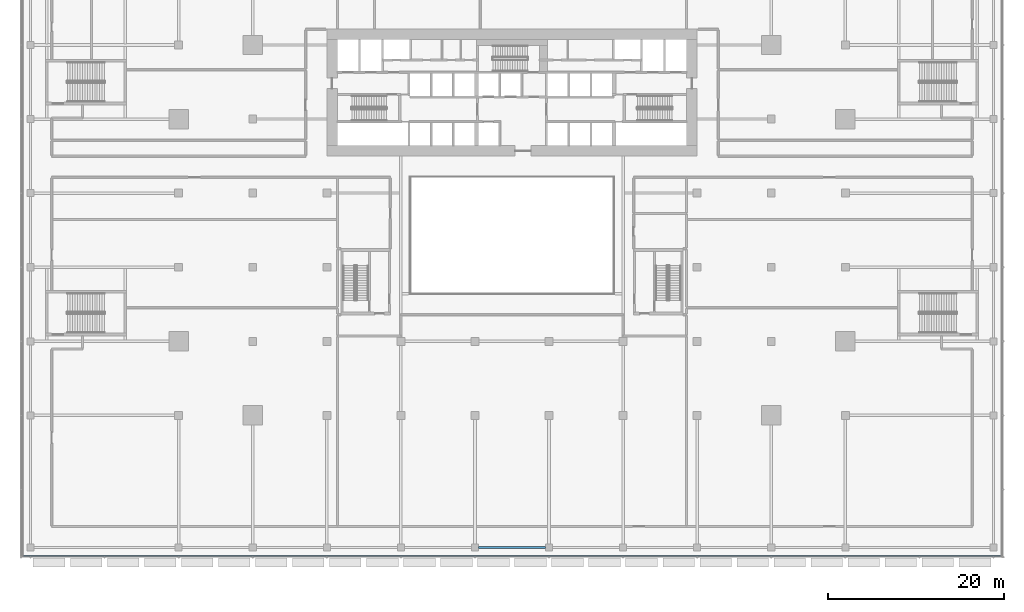
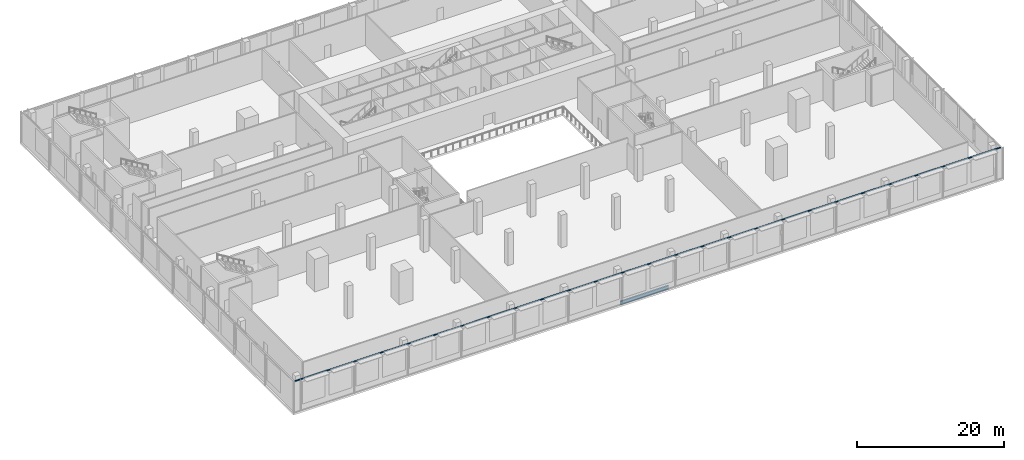
# One storey, part 5 of 39: 1 beam, 1 member, 1 element without a shape of its own.
"""IFC4 building model written with IfcOpenShell, lengths in metres."""

import ifcopenshell
import ifcopenshell.guid

model = None  # the IFC model being written
_history = None  # IfcOwnerHistory: only IFC2X3 demands one
_inside = {}  # id of a spatial element -> (the spatial element, [elements in it])
_under = {}  # id of a project, library or spatial element -> (it, [spatial elements below it])
_declared = {}  # id of a project -> (the project, [libraries it declares])
_typed = {}  # id of a type object -> (the type object, [elements of that type])
_made_of = {}  # id of a material, layer set ... -> (it, [elements and type objects made of it])


def new_model(schema):
    """Start an empty IFC model of exactly this schema.

    Asked for "IFC4X3", IfcOpenShell would pick the latest addendum, in which some entities
    have other attributes; the version numbers below select the first issue.
    IFC2X3 requires an IfcOwnerHistory on every rooted entity: one is made here for all.
    """
    global model, _history
    if schema == "IFC4X3":
        model = ifcopenshell.file(schema_version=(4, 3, 0, 0))
    else:
        model = ifcopenshell.file(schema=schema)
    _inside.clear()
    _under.clear()
    _declared.clear()
    _typed.clear()
    _made_of.clear()
    _history = None
    if model.schema == "IFC2X3":
        org = make("IfcOrganization", Name="unknown")
        user = make(
            "IfcPersonAndOrganization",
            ThePerson=make("IfcPerson", FamilyName="unknown"),
            TheOrganization=org,
        )
        app = make(
            "IfcApplication",
            ApplicationDeveloper=org,
            Version="unknown",
            ApplicationFullName="unknown",
            ApplicationIdentifier="unknown",
        )
        _history = make(
            "IfcOwnerHistory",
            OwningUser=user,
            OwningApplication=app,
            ChangeAction="ADDED",
            CreationDate=0,
        )
    return model


def make(cls, **values):
    """One entity of the class cls with the attributes given. An attribute that is None is left unset."""
    return model.create_entity(
        cls, **{name: value for name, value in values.items() if value is not None}
    )


def rooted(cls, **values):
    """An entity with a GlobalId (a new one), such as an element, a storey or a relation."""
    return make(cls, GlobalId=ifcopenshell.guid.new(), OwnerHistory=_history, **values)


def si_unit(unit_type, name, prefix=None):
    """IfcSIUnit, for example si_unit("LENGTHUNIT", "METRE", prefix="MILLI")."""
    return make("IfcSIUnit", UnitType=unit_type, Prefix=prefix, Name=name)


def assignment(units):
    """IfcUnitAssignment: the units of a project."""
    return None if units is None else make("IfcUnitAssignment", Units=units)


def point(xyz):
    """IfcCartesianPoint."""
    return None if xyz is None else make("IfcCartesianPoint", Coordinates=xyz)


def direction(xyz):
    """IfcDirection."""
    return None if xyz is None else make("IfcDirection", DirectionRatios=xyz)


def frame(location, z_axis=None, x_axis=None):
    """IfcAxis2Placement3D, a coordinate frame: its origin and axes. An axis left out is left unset."""
    return make(
        "IfcAxis2Placement3D",
        Location=point(location),
        Axis=direction(z_axis),
        RefDirection=direction(x_axis),
    )


def frame_2d(location, x_axis=None):
    """IfcAxis2Placement2D, a coordinate frame in the plane: its origin and x axis."""
    return make(
        "IfcAxis2Placement2D", Location=point(location), RefDirection=direction(x_axis)
    )


def origin():
    """The frame at (0, 0, 0) with its axes left unset."""
    return frame((0.0, 0.0, 0.0))


def origin_2d():
    """The frame at (0, 0) in the plane with its x axis left unset."""
    return frame_2d((0.0, 0.0))


def place(relative_to, where):
    """IfcLocalPlacement: puts the frame where relative to a parent placement (None: the world)."""
    return make(
        "IfcLocalPlacement", PlacementRelTo=relative_to, RelativePlacement=where
    )


def context(
    kind, dimensions, precision=None, world=None, true_north=None, identifier=None
):
    """IfcGeometricRepresentationContext, for example the 3D "Model" context."""
    return make(
        "IfcGeometricRepresentationContext",
        ContextIdentifier=identifier,
        ContextType=kind,
        CoordinateSpaceDimension=dimensions,
        Precision=precision,
        WorldCoordinateSystem=world,
        TrueNorth=true_north,
    )


def subcontext(parent, identifier, kind, view, scale=None):
    """IfcGeometricRepresentationSubContext, for example "Body" below "Model"."""
    return make(
        "IfcGeometricRepresentationSubContext",
        ContextIdentifier=identifier,
        ContextType=kind,
        ParentContext=parent,
        TargetScale=scale,
        TargetView=view,
    )


def project(units=None, contexts=None):
    """IfcProject with its units and contexts."""
    return rooted(
        "IfcProject",
        Name="project",
        RepresentationContexts=contexts,
        UnitsInContext=assignment(units),
    )


def spatial(cls, under=None, at=None, **own):
    """A site, building, storey or space (cls), placed at a placement, below another one or the project."""
    s = rooted(cls, ObjectPlacement=at, **own)
    if under is not None:
        _under.setdefault(under.id(), (under, []))[1].append(s)
    return s


def profile(cls, at=None, kind="AREA", **sizes):
    """A parametric profile (cls). Its sizes go by their IFC names, for example OverallWidth=200.0."""
    return make(cls, ProfileType=kind, Position=at, **sizes)


def rectangle(**sizes):
    """IfcRectangleProfileDef."""
    return profile("IfcRectangleProfileDef", **sizes)


def i_section(**sizes):
    """IfcIShapeProfileDef."""
    return profile("IfcIShapeProfileDef", **sizes)


def extrude(swept, where, along, depth):
    """IfcExtrudedAreaSolid: the profile swept, set in the frame where, extruded along a direction by depth."""
    return make(
        "IfcExtrudedAreaSolid",
        SweptArea=swept,
        Position=where,
        ExtrudedDirection=direction(along),
        Depth=depth,
    )


def shape(context_of_items, identifier, shape_type, items):
    """IfcShapeRepresentation: the items that make up one representation, for example the "Body"."""
    return make(
        "IfcShapeRepresentation",
        ContextOfItems=context_of_items,
        RepresentationIdentifier=identifier,
        RepresentationType=shape_type,
        Items=items,
    )


def material(Name=None, Category=None):
    """IfcMaterial."""
    return make("IfcMaterial", Name=Name, Category=Category)


def material_profile(
    of_material, cross_section, Name=None, Category=None, Priority=None
):
    """IfcMaterialProfile: a cross section and its material."""
    return make(
        "IfcMaterialProfile",
        Name=Name,
        Material=of_material,
        Profile=cross_section,
        Priority=Priority,
        Category=Category,
    )


def profile_set(profiles, Name=None, composite=None):
    """IfcMaterialProfileSet."""
    return make(
        "IfcMaterialProfileSet",
        Name=Name,
        MaterialProfiles=profiles,
        CompositeProfile=composite,
    )


def made_of(thing, what):
    """Note that an element or type object is made of a material, layer set ...; save() writes the relation."""
    if what is not None:
        _made_of.setdefault(what.id(), (what, []))[1].append(thing)
    return thing


def type_object(cls, material=None, **own):
    """A type object (cls), such as IfcWallType, which elements share."""
    return made_of(rooted(cls, **own), material)


def element(
    cls,
    number,
    at=None,
    inside=None,
    cuts=None,
    type_object=None,
    material=None,
    context=None,
    identifier="Body",
    shape_type=None,
    held_by="IfcProductDefinitionShape",
    body=None,
    shapes=None,
    **own,
):
    """One element of the class cls, such as IfcWall. Its Tag is "e" and its number.

    at: its placement. inside: the storey or other place that contains it. cuts: it is an
    opening in that element (IfcRelVoidsElement). A single representation is given by context,
    identifier, shape_type and body (its items); several are given by shapes. held_by: the class
    of the entity that holds the representations. save() writes the other relations.
    """
    e = rooted(cls, Tag="e%d" % number, ObjectPlacement=at, **own)
    if body is not None:
        shapes = [shape(context, identifier, shape_type, body)]
    if shapes is not None:
        e.Representation = make(held_by, Representations=shapes)
    if inside is not None:
        _inside.setdefault(inside.id(), (inside, []))[1].append(e)
    if cuts is not None:
        rooted(
            "IfcRelVoidsElement", RelatingBuildingElement=cuts, RelatedOpeningElement=e
        )
    if type_object is not None:
        _typed.setdefault(type_object.id(), (type_object, []))[1].append(e)
    return made_of(e, material)


def aggregate(whole, parts):
    """IfcRelAggregates: a whole, such as a stair, and the parts it consists of."""
    return rooted("IfcRelAggregates", RelatingObject=whole, RelatedObjects=parts)


def save(model, path):
    """Write the relations noted so far, then the file.

    IfcRelAggregates (storeys below a building ...), IfcRelContainedInSpatialStructure (elements
    in a storey), IfcRelDefinesByType, IfcRelAssociatesMaterial and IfcRelDeclares: one each for
    every whole, place, type object, material and project.
    """
    for whole, parts in _under.values():
        aggregate(whole, parts)
    for where, things in _inside.values():
        rooted(
            "IfcRelContainedInSpatialStructure",
            RelatedElements=things,
            RelatingStructure=where,
        )
    for kind, things in _typed.values():
        rooted("IfcRelDefinesByType", RelatedObjects=things, RelatingType=kind)
    for what, things in _made_of.values():
        rooted("IfcRelAssociatesMaterial", RelatedObjects=things, RelatingMaterial=what)
    for by, libraries in _declared.values():
        rooted("IfcRelDeclares", RelatingContext=by, RelatedDefinitions=libraries)
    model.write(path)


model = new_model("IFC4")

# Units and contexts
model_context = context("Model", 3, precision=1e-05, world=origin(), true_north=direction((0.0, 1.0)))
body_context = subcontext(model_context, "Body", "Model", "MODEL_VIEW")
ifc_project = project(units=[si_unit("LENGTHUNIT", "METRE"), si_unit("AREAUNIT", "SQUARE_METRE"), si_unit("VOLUMEUNIT", "CUBIC_METRE"), si_unit("PLANEANGLEUNIT", "RADIAN"), si_unit("MASSUNIT", "GRAM", prefix="KILO")], contexts=[model_context])

# Site, building, storey
site_placement = place(None, origin())
site = spatial("IfcSite", under=ifc_project, at=site_placement, CompositionType="ELEMENT")
building_placement = place(site_placement, origin())
building = spatial("IfcBuilding", under=site, at=building_placement, Name="Saffron Gate Tower", CompositionType="ELEMENT")
storey_placement = place(building_placement, frame((0.0, 0.0, 9.0)))
storey = spatial("IfcBuildingStorey", under=building, at=storey_placement, Name="L01", CompositionType="ELEMENT", Elevation=9.0)

# Beam
ifc_material_1 = material(Name="Structural steel S355", Category="steel")
ifc_material_profile_1 = material_profile(ifc_material_1, i_section(OverallWidth=0.219970703125, OverallDepth=0.60009765625, WebThickness=0.011962890625, FlangeThickness=0.01904296875, FilletRadius=0.02392578125, at=origin_2d()))
ifc_profile_set_1 = profile_set([ifc_material_profile_1], Name="Structural steel S355")
beam_type = type_object("IfcBeamType", Name="B15 IPE 600", PredefinedType="BEAM", material=ifc_profile_set_1)
beam_placement = place(storey_placement, frame((83.800048828125, 16.800048828125, -0.60009765625), z_axis=(1.0, 0.0, 0.0), x_axis=(0.0, 1.0, 0.0)))
element("IfcBeam", 1, at=beam_placement, inside=storey, type_object=beam_type, Name="B15 PODIUM EDGE BEAM", PredefinedType="BEAM", context=body_context, shape_type="SweptSolid", body=[
    extrude(i_section(OverallWidth=0.219970703125, OverallDepth=0.60009765625, WebThickness=0.011962890625, FlangeThickness=0.01904296875, FilletRadius=0.02392578125, at=origin_2d()), origin(), (0.0, 0.0, 1.0), 7.599853515625),
])

# Curtain wall, member
ifc_material_2 = material(Name="Aluminium, bronze anodised", Category="aluminium")
curtain_wall_type = type_object("IfcCurtainWallType", Name="CWS5 curtain wall podium ring base", PredefinedType="NOTDEFINED", material=ifc_material_2)
curtain_wall_placement = place(storey_placement, origin())
curtain_wall = element("IfcCurtainWall", 2, at=curtain_wall_placement, inside=storey, type_object=curtain_wall_type, Name="CWS5 run 1", PredefinedType="NOTDEFINED")
ifc_material_profile_2 = material_profile(ifc_material_2, rectangle(XDim=0.1201171875, YDim=0.1201171875, at=origin_2d()))
ifc_profile_set_2 = profile_set([ifc_material_profile_2], Name="Aluminium, bronze anodised")
member_type = type_object("IfcMemberType", Name="CWS5 head transom", PredefinedType="USERDEFINED", material=ifc_profile_set_2)
member_placement = place(storey_placement, frame((32.2080078125, 15.887939453125, 5.0400390625), z_axis=(1.0, 0.0, 0.0), x_axis=(0.0, 1.0, 0.0)))
member = element("IfcMember", 3, at=member_placement, type_object=member_type, Name="CWS5 head transom", ObjectType="TRANSOM", PredefinedType="USERDEFINED", context=body_context, shape_type="SweptSolid", body=[
    extrude(rectangle(XDim=0.1201171875, YDim=0.1201171875, at=origin_2d()), origin(), (0.0, 0.0, 1.0), 110.783935546875),
])
aggregate(curtain_wall, [member])

save(model, "model.ifc")
